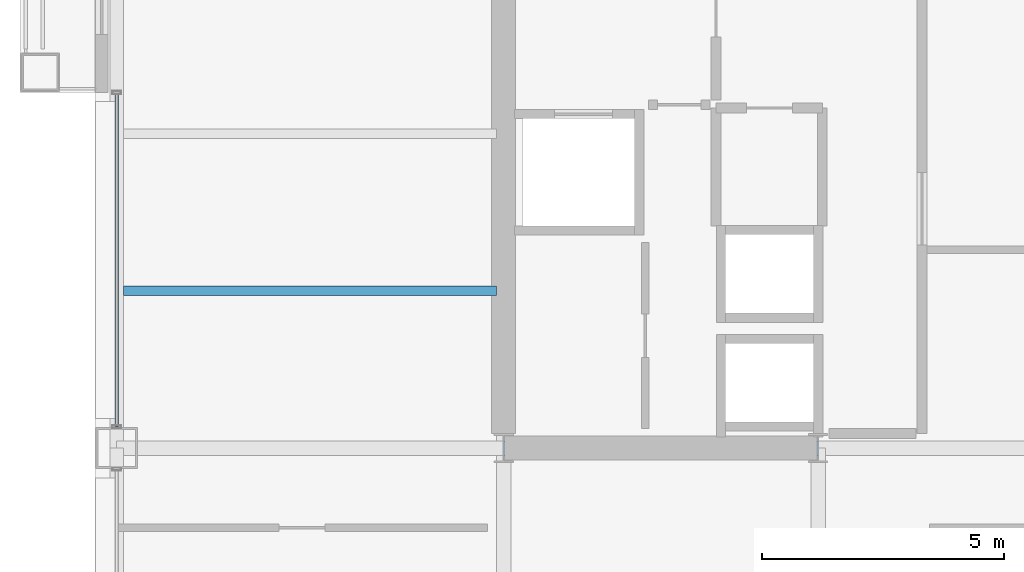
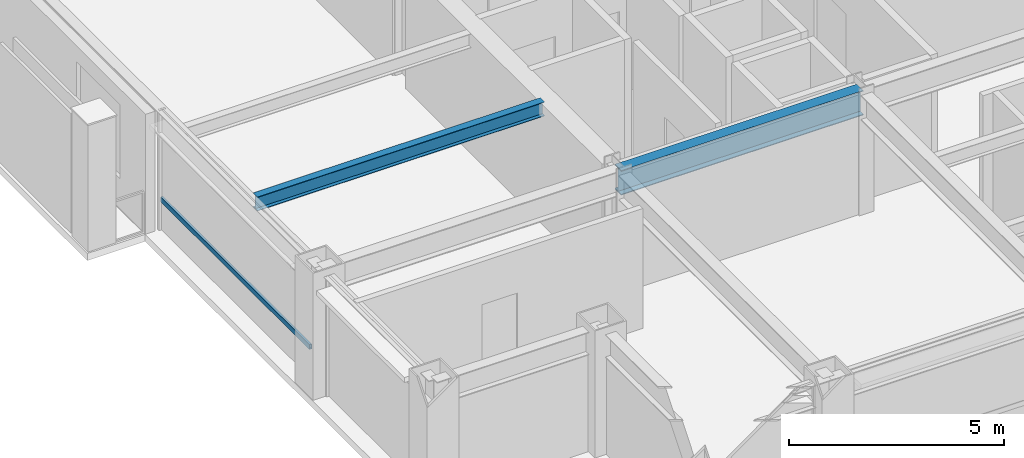
# One storey, part 4 of 31: 2 beams, 1 member, 1 element without a shape of its own.
"""IFC4 building model written with IfcOpenShell, lengths in metres."""

from ifc_helpers import new_model, si_unit, direction, frame, origin, origin_2d, place, context, subcontext, project, spatial, hollow_rectangle, i_section, extrude, material, layer, layer_set, material_profile, profile_set, type_object, element, aggregate, save


model = new_model("IFC4")

# Units and contexts
model_context = context("Model", 3, precision=1e-05, world=origin(), true_north=direction((0.0, 1.0)))
body_context = subcontext(model_context, "Body", "Model", "MODEL_VIEW")
ifc_project = project(units=[si_unit("LENGTHUNIT", "METRE"), si_unit("AREAUNIT", "SQUARE_METRE"), si_unit("VOLUMEUNIT", "CUBIC_METRE"), si_unit("PLANEANGLEUNIT", "RADIAN"), si_unit("MASSUNIT", "GRAM", prefix="KILO")], contexts=[model_context])

# Site, building, storey
site_placement = place(None, origin())
site = spatial("IfcSite", under=ifc_project, at=site_placement, CompositionType="ELEMENT")
building_placement = place(site_placement, origin())
building = spatial("IfcBuilding", under=site, at=building_placement, Name="Brelmoor Portico Tower", CompositionType="ELEMENT")
storey_placement = place(building_placement, frame((0.0, 0.0, 106.199951171875)))
storey = spatial("IfcBuildingStorey", under=building, at=storey_placement, Name="L27", CompositionType="ELEMENT", Elevation=106.199951171875)

# Beams
ifc_material_1 = material(Name="Steel Q355B", Category="steel")
ifc_material_profile_1 = material_profile(ifc_material_1, i_section(OverallWidth=0.199951171875, OverallDepth=0.39990234375, WebThickness=0.008056640625, FlangeThickness=0.012939453125, at=origin_2d()), Name="HN 400x200x8x13")
ifc_profile_set_1 = profile_set([ifc_material_profile_1], Name="Steel Q355B")
beam_type_1 = type_object("IfcBeamType", Name="BM-JS-400", PredefinedType="JOIST", material=ifc_profile_set_1)
beam_1_placement = place(storey_placement, frame((-22.409912109375, -6.5, 3.199951171875), z_axis=(1.0, 0.0, 0.0), x_axis=(0.0, 1.0, 0.0)))
element("IfcBeam", 1, at=beam_1_placement, inside=storey, type_object=beam_type_1, Name="L27 Secondary Wing Joist JS-W05", PredefinedType="JOIST", context=body_context, shape_type="SweptSolid", body=[
    extrude(i_section(OverallWidth=0.199951171875, OverallDepth=0.39990234375, WebThickness=0.008056640625, FlangeThickness=0.012939453125, at=origin_2d()), origin(), (0.0, 0.0, 1.0), 7.7099609375),
])
ifc_material_profile_2 = material_profile(ifc_material_1, i_section(OverallWidth=0.300048828125, OverallDepth=0.699951171875, WebThickness=0.012939453125, FlangeThickness=0.02392578125, at=origin_2d()), Name="HN 700x300x13x24")
ifc_profile_set_2 = profile_set([ifc_material_profile_2], Name="Steel Q355B")
beam_type_2 = type_object("IfcBeamType", Name="BM-PG-700", PredefinedType="BEAM", material=ifc_profile_set_2)
beam_2_placement = place(storey_placement, frame((-14.550048828125, -9.75, 3.050048828125), z_axis=(1.0, 0.0, 0.0), x_axis=(0.0, 1.0, 0.0)))
element("IfcBeam", 2, at=beam_2_placement, inside=storey, type_object=beam_type_2, Name="L27 Primary Floor Girder PG-15", PredefinedType="BEAM", context=body_context, shape_type="SweptSolid", body=[
    extrude(i_section(OverallWidth=0.300048828125, OverallDepth=0.699951171875, WebThickness=0.012939453125, FlangeThickness=0.02392578125, at=origin_2d()), origin(), (0.0, 0.0, 1.0), 6.5),
])

# Curtain wall, member
ifc_material_2 = material(Name="Anodised Aluminium Alloy 6063-T6", Category="aluminium")
ifc_layer = layer(ifc_material_2, 0.179931640625)
ifc_layer_set = layer_set([ifc_layer], Name="Anodised Aluminium Alloy 6063-T6")
curtain_wall_type = type_object("IfcCurtainWallType", Name="CW-TOWER-Z2", PredefinedType="NOTDEFINED", material=ifc_layer_set)
curtain_wall_placement = place(storey_placement, origin())
curtain_wall = element("IfcCurtainWall", 3, at=curtain_wall_placement, inside=storey, type_object=curtain_wall_type, Name="L27 Curtain Wall CW-L27-3L-2", PredefinedType="NOTDEFINED")
ifc_material_profile_3 = material_profile(ifc_material_2, hollow_rectangle(XDim=0.06494140625, YDim=0.139892578125, WallThickness=0.00390625, at=origin_2d()), Name="ALU TRANSOM 65x140")
ifc_profile_set_3 = profile_set([ifc_material_profile_3], Name="Anodised Aluminium Alloy 6063-T6")
member_type = type_object("IfcMemberType", Name="MB-CW-TRAN-140", PredefinedType="USERDEFINED", material=ifc_profile_set_3)
member_placement = place(storey_placement, frame((-22.550048828125, -9.31494140625, 0.85009765625), z_axis=(0.0, 1.0, 0.0), x_axis=(-1.0, 0.0, 0.0)))
member = element("IfcMember", 4, at=member_placement, type_object=member_type, Name="CW-L27-3L-2 Transom 1-00", ObjectType="TRANSOM", PredefinedType="USERDEFINED", context=body_context, shape_type="SweptSolid", body=[
    extrude(hollow_rectangle(XDim=0.06494140625, YDim=0.139892578125, WallThickness=0.00390625, at=origin_2d()), origin(), (0.0, 0.0, 1.0), 6.9150390625),
])
aggregate(curtain_wall, [member])

save(model, "model.ifc")
